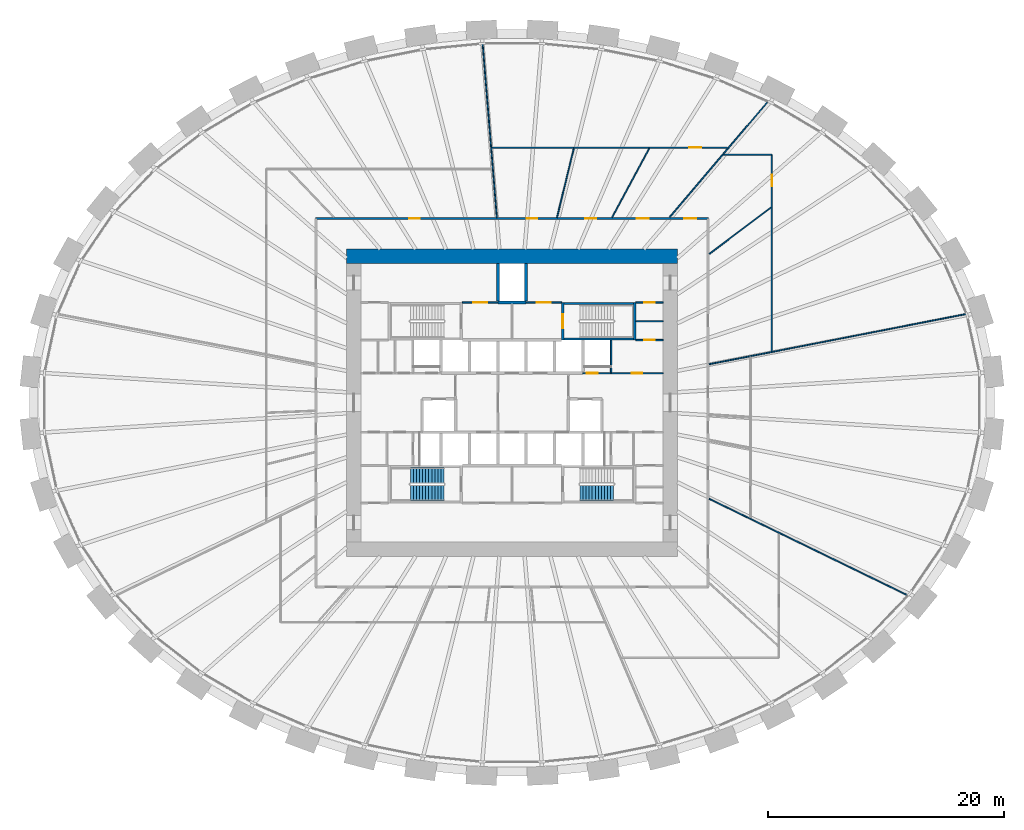
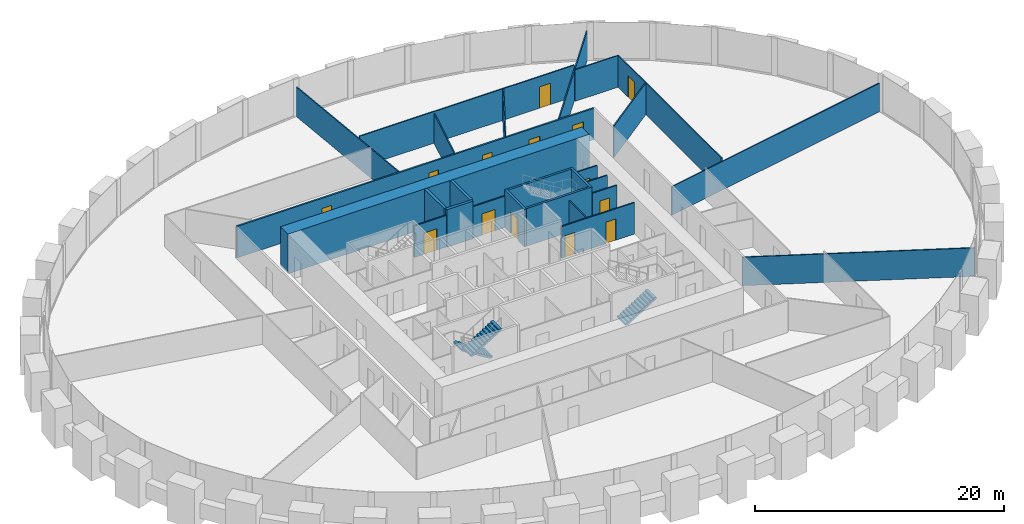
# One storey, part 9 of 11: 26 walls, 14 doors, 3 stair flights, 14 openings, 2 elements without a shape of their own.
"""IFC4 building model written with IfcOpenShell, lengths in metres."""

from ifc_helpers import new_model, si_unit, direction, frame, frame_2d, origin, place, context, subcontext, project, spatial, polyline, rectangle, outline, extrude, source, transform, mapped, material, layer, layer_set, type_object, element, fill, aggregate, save


model = new_model("IFC4")

# Units and contexts
model_context = context("Model", 3, precision=1e-05, world=origin(), true_north=direction((0.0, 1.0)))
body_context = subcontext(model_context, "Body", "Model", "MODEL_VIEW")
ifc_project = project(units=[si_unit("LENGTHUNIT", "METRE"), si_unit("AREAUNIT", "SQUARE_METRE"), si_unit("VOLUMEUNIT", "CUBIC_METRE"), si_unit("PLANEANGLEUNIT", "RADIAN"), si_unit("MASSUNIT", "GRAM", prefix="KILO")], contexts=[model_context])

# Site, building, storey
site_placement = place(None, origin())
site = spatial("IfcSite", under=ifc_project, at=site_placement, CompositionType="ELEMENT")
building_placement = place(site_placement, origin())
building = spatial("IfcBuilding", under=site, at=building_placement, Name="Embergate Tower", CompositionType="ELEMENT")
storey_placement = place(building_placement, frame((0.0, 0.0, 77.60009765625)))
storey = spatial("IfcBuildingStorey", under=building, at=storey_placement, Name="L15", CompositionType="ELEMENT", Elevation=77.60009765625)

# Walls
ifc_material_1 = material(Name="Concrete C80", Category="concrete")
ifc_layer_1 = layer(ifc_material_1, 1.199951171875)
ifc_layer_set_1 = layer_set([ifc_layer_1], Name="Concrete C80")
wall_type_1 = type_object("IfcWallType", Name="Core outer wall C80 1200", PredefinedType="SHEAR", material=ifc_layer_set_1)
shared_shape_1 = source(origin(), body_context, "Body", "SweptSolid", [
    extrude(rectangle(XDim=28.0, YDim=1.199951171875, at=frame_2d((14.0, 0.0))), origin(), (0.0, 0.0, 1.0), 3.900146484375),
])
wall_1_placement = place(storey_placement, frame((-14.0, 12.39990234375, -0.2001953125), z_axis=(0.0, 0.0, 1.0), x_axis=(1.0, 0.0, 0.0)))
element("IfcWall", 1, at=wall_1_placement, inside=storey, type_object=wall_type_1, Name="CW-L15-N", PredefinedType="SHEAR", context=body_context, shape_type="MappedRepresentation", body=[
    mapped(shared_shape_1, transform((0.0, 0.0, 0.0))),
])
ifc_material_2 = material(Name="Concrete C50", Category="concrete")
ifc_layer_2 = layer(ifc_material_2, 0.199951171875)
ifc_layer_set_2 = layer_set([ifc_layer_2], Name="Concrete C50")
wall_type_2 = type_object("IfcWallType", Name="Stair enclosure wall reinforced concrete 250", PredefinedType="SHEAR", material=ifc_layer_set_2)
shared_shape_2 = source(origin(), body_context, "Body", "SweptSolid", [
    extrude(rectangle(XDim=6.300048828125, YDim=0.199951171875, at=frame_2d((3.14990234375, 0.0))), origin(), (0.0, 0.0, 1.0), 3.699951171875),
])
for number, where, z_axis, x_axis, name in (
    (2, (10.5, 5.39990234375, 0.0), (0.0, 0.0, 1.0), (-1.0, 0.0, 0.0), "SE-1 wall"),
    (3, (10.5, 8.39990234375, 0.0), (0.0, 0.0, 1.0), (-1.0, 0.0, 0.0), "SE-1 wall"),
):
    element("IfcWall", number, at=place(storey_placement, frame(where, z_axis=z_axis, x_axis=x_axis)), inside=storey, type_object=wall_type_2, Name=name, PredefinedType="SHEAR", context=body_context, shape_type="MappedRepresentation", body=[
        mapped(shared_shape_2, transform((0.0, 0.0, 0.0))),
    ])

# Wall, opening, door
shared_shape_3 = source(origin(), body_context, "Body", "SweptSolid", [
    extrude(rectangle(XDim=3.199951171875, YDim=0.199951171875, at=frame_2d((1.60009765625, 0.0))), origin(), (0.0, 0.0, 1.0), 3.699951171875),
])
wall_2_placement = place(storey_placement, frame((4.300048828125, 8.5, 0.0), z_axis=(0.0, 0.0, 1.0), x_axis=(0.0, -1.0, 0.0)))
wall_2 = element("IfcWall", 4, at=wall_2_placement, inside=storey, type_object=wall_type_2, Name="SE-1 wall", PredefinedType="SHEAR", context=body_context, shape_type="MappedRepresentation", body=[
    mapped(shared_shape_3, transform((0.0, 0.0, 0.0))),
])
shared_shape_4 = source(origin(), body_context, "Body", "SweptSolid", [
    extrude(rectangle(XDim=1.199951171875, YDim=2.10009765625, at=frame_2d((0.60009765625, 1.050048828125))), frame((0.0, 0.10986328125, 0.0), z_axis=(0.0, -1.0, 0.0), x_axis=(1.0, 0.0, 0.0)), (0.0, 0.0, 1.0), 0.219970703125),
])
opening_1_placement = place(wall_2_placement, frame((1.0, 0.0, 0.0)))
opening_1 = element("IfcOpeningElement", 5, at=opening_1_placement, cuts=wall_2, Name="Opening IF-2", PredefinedType="OPENING", context=body_context, shape_type="MappedRepresentation", body=[
    mapped(shared_shape_4, transform((0.0, 0.0, 0.0))),
])
ifc_material_3 = material(Name="Stair enclosure door 1200")
door_type_1 = type_object("IfcDoorType", Name="Stair enclosure door 1200", OperationType="SINGLE_SWING_LEFT", PredefinedType="DOOR", material=ifc_material_3)
shared_shape_5 = source(origin(), body_context, "Body", "SweptSolid", [
    extrude(rectangle(XDim=1.199951171875, YDim=2.10009765625, at=frame_2d((0.60009765625, 1.050048828125))), frame((0.0, 0.02490234375, 0.0), z_axis=(0.0, -1.0, 0.0), x_axis=(1.0, 0.0, 0.0)), (0.0, 0.0, 1.0), 0.050048828125),
])
door_1_placement = place(opening_1_placement, origin())
door_1 = element("IfcDoor", 6, at=door_1_placement, inside=storey, type_object=door_type_1, Name="IF-2 door", OperationType="SINGLE_SWING_LEFT", OverallHeight=2.10009765625, OverallWidth=1.199951171875, PredefinedType="DOOR", context=body_context, shape_type="MappedRepresentation", body=[
    mapped(shared_shape_5, transform((0.0, 0.0, 0.0))),
])
fill(opening_1, door_1)

# Walls
wall_3_placement = place(storey_placement, frame((10.39990234375, 5.300048828125, 0.0), z_axis=(0.0, 0.0, 1.0), x_axis=(0.0, 1.0, 0.0)))
element("IfcWall", 7, at=wall_3_placement, inside=storey, type_object=wall_type_2, Name="SE-1 wall", PredefinedType="SHEAR", context=body_context, shape_type="MappedRepresentation", body=[
    mapped(shared_shape_3, transform((0.0, 0.0, 0.0))),
])
ifc_layer_3 = layer(ifc_material_2, 0.25)
ifc_layer_set_3 = layer_set([ifc_layer_3], Name="Concrete C50")
wall_type_3 = type_object("IfcWallType", Name="Hoistway wall reinforced concrete 250", PredefinedType="SHEAR", material=ifc_layer_set_3)
shared_shape_6 = source(origin(), body_context, "Body", "SweptSolid", [
    extrude(rectangle(XDim=2.39990234375, YDim=0.25, at=frame_2d((1.199951171875, 0.0))), origin(), (0.0, 0.0, 1.0), 3.699951171875),
])
wall_4_placement = place(storey_placement, frame((1.199951171875, 8.5, 0.0), z_axis=(0.0, 0.0, 1.0), x_axis=(-1.0, 0.0, 0.0)))
element("IfcWall", 8, at=wall_4_placement, inside=storey, type_object=wall_type_3, Name="HW-1 wall", PredefinedType="SHEAR", context=body_context, shape_type="MappedRepresentation", body=[
    mapped(shared_shape_6, transform((0.0, 0.0, 0.0))),
])
shared_shape_7 = source(origin(), body_context, "Body", "SweptSolid", [
    extrude(rectangle(XDim=3.175048828125, YDim=0.25, at=frame_2d((1.58740234375, 0.0))), origin(), (0.0, 0.0, 1.0), 3.699951171875),
])
for number, where, z_axis, x_axis, name in (
    (9, (-1.199951171875, 8.625, 0.0), (0.0, 0.0, 1.0), (0.0, 1.0, 0.0), "HW-1 wall"),
    (10, (1.199951171875, 11.800048828125, 0.0), (0.0, 0.0, 1.0), (0.0, -1.0, 0.0), "HW-1 wall"),
):
    element("IfcWall", number, at=place(storey_placement, frame(where, z_axis=z_axis, x_axis=x_axis)), inside=storey, type_object=wall_type_3, Name=name, PredefinedType="SHEAR", context=body_context, shape_type="MappedRepresentation", body=[
        mapped(shared_shape_7, transform((0.0, 0.0, 0.0))),
    ])

# Wall, openings, doors
ifc_material_4 = material(Name="Core partition blockwork 120")
ifc_layer_4 = layer(ifc_material_4, 0.1201171875)
ifc_layer_set_4 = layer_set([ifc_layer_4], Name="Core partition blockwork 120")
wall_type_4 = type_object("IfcWallType", Name="Core partition blockwork 120", PredefinedType="PARTITIONING", material=ifc_layer_set_4)
shared_shape_8 = source(origin(), body_context, "Body", "SweptSolid", [
    extrude(rectangle(XDim=6.800048828125, YDim=0.1201171875, at=frame_2d((3.39990234375, 0.0))), origin(), (0.0, 0.0, 1.0), 3.099853515625),
])
wall_5_placement = place(storey_placement, frame((6.0, 2.5, 0.0), z_axis=(0.0, 0.0, 1.0), x_axis=(1.0, 0.0, 0.0)))
wall_5 = element("IfcWall", 11, at=wall_5_placement, inside=storey, type_object=wall_type_4, Name="IP-3 wall", PredefinedType="PARTITIONING", context=body_context, shape_type="MappedRepresentation", body=[
    mapped(shared_shape_8, transform((0.0, 0.0, 0.0))),
])
shared_shape_9 = source(origin(), body_context, "Body", "SweptSolid", [
    extrude(rectangle(XDim=0.89990234375, YDim=2.10009765625, at=frame_2d((0.449951171875, 1.050048828125))), frame((0.0, 0.070068359375, 0.0), z_axis=(0.0, -1.0, 0.0), x_axis=(1.0, 0.0, 0.0)), (0.0, 0.0, 1.0), 0.14013671875),
])
opening_2_placement = place(wall_5_placement, frame((0.35009765625, 0.0, 0.0)))
opening_2 = element("IfcOpeningElement", 12, at=opening_2_placement, cuts=wall_5, Name="Opening ID-1", PredefinedType="OPENING", context=body_context, shape_type="MappedRepresentation", body=[
    mapped(shared_shape_9, transform((0.0, 0.0, 0.0))),
])
opening_3_placement = place(wall_5_placement, frame((4.14990234375, 0.0, 0.0)))
opening_3 = element("IfcOpeningElement", 13, at=opening_3_placement, cuts=wall_5, Name="Opening ID-1", PredefinedType="OPENING", context=body_context, shape_type="MappedRepresentation", body=[
    mapped(shared_shape_9, transform((0.0, 0.0, 0.0))),
])
ifc_material_5 = material(Name="Interior door 900")
door_type_2 = type_object("IfcDoorType", Name="Interior door 900", OperationType="SINGLE_SWING_LEFT", PredefinedType="DOOR", material=ifc_material_5)
shared_shape_10 = source(origin(), body_context, "Body", "SweptSolid", [
    extrude(rectangle(XDim=0.89990234375, YDim=2.10009765625, at=frame_2d((0.449951171875, 1.050048828125))), frame((0.0, 0.02490234375, 0.0), z_axis=(0.0, -1.0, 0.0), x_axis=(1.0, 0.0, 0.0)), (0.0, 0.0, 1.0), 0.050048828125),
])
door_2_placement = place(opening_2_placement, origin())
door_2 = element("IfcDoor", 14, at=door_2_placement, inside=storey, type_object=door_type_2, Name="ID-1 door", OperationType="SINGLE_SWING_RIGHT", OverallHeight=2.10009765625, OverallWidth=0.89990234375, PredefinedType="DOOR", context=body_context, shape_type="MappedRepresentation", body=[
    mapped(shared_shape_10, transform((0.0, 0.0, 0.0))),
])
fill(opening_2, door_2)
door_3_placement = place(opening_3_placement, origin())
door_3 = element("IfcDoor", 15, at=door_3_placement, inside=storey, type_object=door_type_2, Name="ID-1 door", OperationType="SINGLE_SWING_LEFT", OverallHeight=2.10009765625, OverallWidth=0.89990234375, PredefinedType="DOOR", context=body_context, shape_type="MappedRepresentation", body=[
    mapped(shared_shape_10, transform((0.0, 0.0, 0.0))),
])
fill(opening_3, door_3)

# Wall
shared_shape_11 = source(origin(), body_context, "Body", "SweptSolid", [
    extrude(rectangle(XDim=2.739990234375, YDim=0.1201171875, at=frame_2d((1.3701171875, 0.0))), origin(), (0.0, 0.0, 1.0), 3.099853515625),
])
wall_6_placement = place(storey_placement, frame((8.39990234375, 2.56005859375, 0.0), z_axis=(0.0, 0.0, 1.0), x_axis=(0.0, 1.0, 0.0)))
element("IfcWall", 16, at=wall_6_placement, inside=storey, type_object=wall_type_4, Name="IP-3 wall", PredefinedType="PARTITIONING", context=body_context, shape_type="MappedRepresentation", body=[
    mapped(shared_shape_11, transform((0.0, 0.0, 0.0))),
])

# Wall, opening, door
shared_shape_12 = source(origin(), body_context, "Body", "SweptSolid", [
    extrude(rectangle(XDim=3.0, YDim=0.1201171875, at=frame_2d((1.5, 0.0))), origin(), (0.0, 0.0, 1.0), 3.099853515625),
])
wall_7_placement = place(storey_placement, frame((-1.199951171875, 8.5, 0.0), z_axis=(0.0, 0.0, 1.0), x_axis=(-1.0, 0.0, 0.0)))
wall_7 = element("IfcWall", 17, at=wall_7_placement, inside=storey, type_object=wall_type_4, Name="IP-3 wall", PredefinedType="PARTITIONING", context=body_context, shape_type="MappedRepresentation", body=[
    mapped(shared_shape_12, transform((0.0, 0.0, 0.0))),
])
shared_shape_13 = source(origin(), body_context, "Body", "SweptSolid", [
    extrude(rectangle(XDim=1.199951171875, YDim=2.10009765625, at=frame_2d((0.60009765625, 1.050048828125))), frame((0.0, 0.070068359375, 0.0), z_axis=(0.0, -1.0, 0.0), x_axis=(1.0, 0.0, 0.0)), (0.0, 0.0, 1.0), 0.14013671875),
])
opening_4_placement = place(wall_7_placement, frame((0.89990234375, 0.0, 0.0)))
opening_4 = element("IfcOpeningElement", 18, at=opening_4_placement, cuts=wall_7, Name="Opening IF-3f", PredefinedType="OPENING", context=body_context, shape_type="MappedRepresentation", body=[
    mapped(shared_shape_13, transform((0.0, 0.0, 0.0))),
])
ifc_material_6 = material(Name="Lobby fire door pair 1200")
door_type_3 = type_object("IfcDoorType", Name="Lobby fire door pair 1200", OperationType="DOUBLE_DOOR_SINGLE_SWING", PredefinedType="DOOR", material=ifc_material_6)
door_4_placement = place(opening_4_placement, origin())
door_4 = element("IfcDoor", 19, at=door_4_placement, inside=storey, type_object=door_type_3, Name="IF-3 door", OperationType="DOUBLE_DOOR_SINGLE_SWING", OverallHeight=2.10009765625, OverallWidth=1.199951171875, PredefinedType="DOOR", context=body_context, shape_type="MappedRepresentation", body=[
    mapped(shared_shape_5, transform((0.0, 0.0, 0.0))),
])
fill(opening_4, door_4)

wall_8_placement = place(storey_placement, frame((4.199951171875, 8.5, 0.0), z_axis=(0.0, 0.0, 1.0), x_axis=(-1.0, 0.0, 0.0)))
wall_8 = element("IfcWall", 20, at=wall_8_placement, inside=storey, type_object=wall_type_4, Name="IP-3 wall", PredefinedType="PARTITIONING", context=body_context, shape_type="MappedRepresentation", body=[
    mapped(shared_shape_12, transform((0.0, 0.0, 0.0))),
])
opening_5_placement = place(wall_8_placement, frame((0.89990234375, 0.0, 0.0)))
opening_5 = element("IfcOpeningElement", 21, at=opening_5_placement, cuts=wall_8, Name="Opening IF-3f", PredefinedType="OPENING", context=body_context, shape_type="MappedRepresentation", body=[
    mapped(shared_shape_13, transform((0.0, 0.0, 0.0))),
])
door_5_placement = place(opening_5_placement, origin())
door_5 = element("IfcDoor", 22, at=door_5_placement, inside=storey, type_object=door_type_3, Name="IF-3 door", OperationType="DOUBLE_DOOR_SINGLE_SWING", OverallHeight=2.10009765625, OverallWidth=1.199951171875, PredefinedType="DOOR", context=body_context, shape_type="MappedRepresentation", body=[
    mapped(shared_shape_5, transform((0.0, 0.0, 0.0))),
])
fill(opening_5, door_5)

shared_shape_14 = source(origin(), body_context, "Body", "SweptSolid", [
    extrude(rectangle(XDim=2.300048828125, YDim=0.1201171875, at=frame_2d((1.14990234375, 0.0))), origin(), (0.0, 0.0, 1.0), 3.099853515625),
])
wall_9_placement = place(storey_placement, frame((10.5, 8.5, 0.0), z_axis=(0.0, 0.0, 1.0), x_axis=(1.0, 0.0, 0.0)))
wall_9 = element("IfcWall", 23, at=wall_9_placement, inside=storey, type_object=wall_type_4, Name="IP-3 wall", PredefinedType="PARTITIONING", context=body_context, shape_type="MappedRepresentation", body=[
    mapped(shared_shape_14, transform((0.0, 0.0, 0.0))),
])
opening_6_placement = place(wall_9_placement, frame((0.699951171875, 0.0, 0.0)))
opening_6 = element("IfcOpeningElement", 24, at=opening_6_placement, cuts=wall_9, Name="Opening ID-1", PredefinedType="OPENING", context=body_context, shape_type="MappedRepresentation", body=[
    mapped(shared_shape_9, transform((0.0, 0.0, 0.0))),
])
door_6_placement = place(opening_6_placement, origin())
door_6 = element("IfcDoor", 25, at=door_6_placement, inside=storey, type_object=door_type_2, Name="ID-1 door", OperationType="SINGLE_SWING_LEFT", OverallHeight=2.10009765625, OverallWidth=0.89990234375, PredefinedType="DOOR", context=body_context, shape_type="MappedRepresentation", body=[
    mapped(shared_shape_10, transform((0.0, 0.0, 0.0))),
])
fill(opening_6, door_6)

wall_10_placement = place(storey_placement, frame((12.800048828125, 5.300048828125, 0.0), z_axis=(0.0, 0.0, 1.0), x_axis=(-1.0, 0.0, 0.0)))
wall_10 = element("IfcWall", 26, at=wall_10_placement, inside=storey, type_object=wall_type_4, Name="IP-3 wall", PredefinedType="PARTITIONING", context=body_context, shape_type="MappedRepresentation", body=[
    mapped(shared_shape_14, transform((0.0, 0.0, 0.0))),
])
opening_7_placement = place(wall_10_placement, frame((0.699951171875, 0.0, 0.0)))
opening_7 = element("IfcOpeningElement", 27, at=opening_7_placement, cuts=wall_10, Name="Opening ID-1", PredefinedType="OPENING", context=body_context, shape_type="MappedRepresentation", body=[
    mapped(shared_shape_9, transform((0.0, 0.0, 0.0))),
])
door_7_placement = place(opening_7_placement, origin())
door_7 = element("IfcDoor", 28, at=door_7_placement, inside=storey, type_object=door_type_2, Name="ID-1 door", OperationType="SINGLE_SWING_LEFT", OverallHeight=2.10009765625, OverallWidth=0.89990234375, PredefinedType="DOOR", context=body_context, shape_type="MappedRepresentation", body=[
    mapped(shared_shape_10, transform((0.0, 0.0, 0.0))),
])
fill(opening_7, door_7)

# Wall
wall_11_placement = place(storey_placement, frame((12.800048828125, 6.89990234375, 0.0), z_axis=(0.0, 0.0, 1.0), x_axis=(-1.0, 0.0, 0.0)))
element("IfcWall", 29, at=wall_11_placement, inside=storey, type_object=wall_type_4, Name="IP-3 wall", PredefinedType="PARTITIONING", context=body_context, shape_type="MappedRepresentation", body=[
    mapped(shared_shape_14, transform((0.0, 0.0, 0.0))),
])

# Wall, openings, doors
ifc_material_7 = material(Name="Corridor wall dry-lined 150")
ifc_layer_5 = layer(ifc_material_7, 0.14990234375)
ifc_layer_set_5 = layer_set([ifc_layer_5], Name="Corridor wall dry-lined 150")
wall_type_5 = type_object("IfcWallType", Name="Corridor wall dry-lined 150", PredefinedType="PARTITIONING", material=ifc_layer_set_5)
shared_shape_15 = source(origin(), body_context, "Body", "SweptSolid", [
    extrude(rectangle(XDim=33.2001953125, YDim=0.14990234375, at=frame_2d((16.60009765625, 0.0))), origin(), (0.0, 0.0, 1.0), 3.099853515625),
])
wall_12_placement = place(storey_placement, frame((-16.60009765625, 15.60009765625, 0.0), z_axis=(0.0, 0.0, 1.0), x_axis=(1.0, 0.0, 0.0)))
wall_12 = element("IfcWall", 30, at=wall_12_placement, inside=storey, type_object=wall_type_5, Name="IP-2 wall", PredefinedType="PARTITIONING", context=body_context, shape_type="MappedRepresentation", body=[
    mapped(shared_shape_15, transform((0.0, 0.0, 0.0))),
])
shared_shape_16 = source(origin(), body_context, "Body", "SweptSolid", [
    extrude(rectangle(XDim=1.0, YDim=2.10009765625, at=frame_2d((0.5, 1.050048828125))), frame((0.0, 0.0849609375, 0.0), z_axis=(0.0, -1.0, 0.0), x_axis=(1.0, 0.0, 0.0)), (0.0, 0.0, 1.0), 0.169921875),
])
opening_8_placement = place(wall_12_placement, frame((31.200927734375, 0.0, 0.0)))
opening_8 = element("IfcOpeningElement", 31, at=opening_8_placement, cuts=wall_12, Name="Opening ID-2", PredefinedType="OPENING", context=body_context, shape_type="MappedRepresentation", body=[
    mapped(shared_shape_16, transform((0.0, 0.0, 0.0))),
])
opening_9_placement = place(wall_12_placement, frame((27.162109375, 0.0, 0.0)))
opening_9 = element("IfcOpeningElement", 32, at=opening_9_placement, cuts=wall_12, Name="Opening ID-2", PredefinedType="OPENING", context=body_context, shape_type="MappedRepresentation", body=[
    mapped(shared_shape_16, transform((0.0, 0.0, 0.0))),
])
shared_shape_17 = source(origin(), body_context, "Body", "SweptSolid", [
    extrude(rectangle(XDim=0.89990234375, YDim=2.10009765625, at=frame_2d((0.449951171875, 1.050048828125))), frame((0.0, 0.0849609375, 0.0), z_axis=(0.0, -1.0, 0.0), x_axis=(1.0, 0.0, 0.0)), (0.0, 0.0, 1.0), 0.169921875),
])
opening_10_placement = place(wall_12_placement, frame((22.818115234375, 0.0, 0.0)))
opening_10 = element("IfcOpeningElement", 33, at=opening_10_placement, cuts=wall_12, Name="Opening IF-1c", PredefinedType="OPENING", context=body_context, shape_type="MappedRepresentation", body=[
    mapped(shared_shape_17, transform((0.0, 0.0, 0.0))),
])
opening_11_placement = place(wall_12_placement, frame((17.8359375, 0.0, 0.0)))
opening_11 = element("IfcOpeningElement", 34, at=opening_11_placement, cuts=wall_12, Name="Opening IF-1c", PredefinedType="OPENING", context=body_context, shape_type="MappedRepresentation", body=[
    mapped(shared_shape_17, transform((0.0, 0.0, 0.0))),
])
opening_12_placement = place(wall_12_placement, frame((7.90087890625, 0.0, 0.0)))
opening_12 = element("IfcOpeningElement", 35, at=opening_12_placement, cuts=wall_12, Name="Opening IF-1c", PredefinedType="OPENING", context=body_context, shape_type="MappedRepresentation", body=[
    mapped(shared_shape_17, transform((0.0, 0.0, 0.0))),
])
ifc_material_8 = material(Name="Escape fire door 900")
door_type_4 = type_object("IfcDoorType", Name="Escape fire door 900", OperationType="SINGLE_SWING_LEFT", PredefinedType="DOOR", material=ifc_material_8)
door_8_placement = place(opening_10_placement, origin())
door_8 = element("IfcDoor", 36, at=door_8_placement, inside=storey, type_object=door_type_4, Name="IF-1 door", OperationType="SINGLE_SWING_LEFT", OverallHeight=2.10009765625, OverallWidth=0.89990234375, PredefinedType="DOOR", context=body_context, shape_type="MappedRepresentation", body=[
    mapped(shared_shape_10, transform((0.0, 0.0, 0.0))),
])
fill(opening_10, door_8)
door_9_placement = place(opening_11_placement, origin())
door_9 = element("IfcDoor", 37, at=door_9_placement, inside=storey, type_object=door_type_4, Name="IF-1 door", OperationType="SINGLE_SWING_RIGHT", OverallHeight=2.10009765625, OverallWidth=0.89990234375, PredefinedType="DOOR", context=body_context, shape_type="MappedRepresentation", body=[
    mapped(shared_shape_10, transform((0.0, 0.0, 0.0))),
])
fill(opening_11, door_9)
door_10_placement = place(opening_12_placement, origin())
door_10 = element("IfcDoor", 38, at=door_10_placement, inside=storey, type_object=door_type_4, Name="IF-1 door", OperationType="SINGLE_SWING_RIGHT", OverallHeight=2.10009765625, OverallWidth=0.89990234375, PredefinedType="DOOR", context=body_context, shape_type="MappedRepresentation", body=[
    mapped(shared_shape_10, transform((0.0, 0.0, 0.0))),
])
fill(opening_12, door_10)
ifc_material_9 = material(Name="Interior door 1000")
door_type_5 = type_object("IfcDoorType", Name="Interior door 1000", OperationType="SINGLE_SWING_LEFT", PredefinedType="DOOR", material=ifc_material_9)
shared_shape_18 = source(origin(), body_context, "Body", "SweptSolid", [
    extrude(rectangle(XDim=1.0, YDim=2.10009765625, at=frame_2d((0.5, 1.050048828125))), frame((0.0, 0.02490234375, 0.0), z_axis=(0.0, -1.0, 0.0), x_axis=(1.0, 0.0, 0.0)), (0.0, 0.0, 1.0), 0.050048828125),
])
door_11_placement = place(opening_8_placement, origin())
door_11 = element("IfcDoor", 39, at=door_11_placement, inside=storey, type_object=door_type_5, Name="ID-2 door", OperationType="SINGLE_SWING_RIGHT", OverallHeight=2.10009765625, OverallWidth=1.0, PredefinedType="DOOR", context=body_context, shape_type="MappedRepresentation", body=[
    mapped(shared_shape_18, transform((0.0, 0.0, 0.0))),
])
fill(opening_8, door_11)
door_12_placement = place(opening_9_placement, origin())
door_12 = element("IfcDoor", 40, at=door_12_placement, inside=storey, type_object=door_type_5, Name="ID-2 door", OperationType="SINGLE_SWING_LEFT", OverallHeight=2.10009765625, OverallWidth=1.0, PredefinedType="DOOR", context=body_context, shape_type="MappedRepresentation", body=[
    mapped(shared_shape_18, transform((0.0, 0.0, 0.0))),
])
fill(opening_9, door_12)

# Wall
ifc_material_10 = material(Name="Partition dry-lined 100")
ifc_layer_6 = layer(ifc_material_10, 0.10009765625)
ifc_layer_set_6 = layer_set([ifc_layer_6], Name="Partition dry-lined 100")
wall_type_6 = type_object("IfcWallType", Name="Partition dry-lined 100", PredefinedType="PARTITIONING", material=ifc_layer_set_6)
shared_shape_19 = source(origin(), body_context, "Body", "SweptSolid", [
    extrude(rectangle(XDim=6.53173828125, YDim=0.10009765625, at=frame_2d((3.265869140625, 0.0))), origin(), (0.0, 0.0, 1.0), 3.099853515625),
])
wall_13_placement = place(storey_placement, frame((16.705078125, 12.597900390625, 0.0), z_axis=(0.0, 0.0, 1.0), x_axis=(0.798382397051, 0.602150768562, 0.0)))
element("IfcWall", 41, at=wall_13_placement, inside=storey, type_object=wall_type_6, Name="IP-1 wall", PredefinedType="PARTITIONING", context=body_context, shape_type="MappedRepresentation", body=[
    mapped(shared_shape_19, transform((0.0, 0.0, 0.0))),
])

# Wall, opening, door
shared_shape_20 = source(origin(), body_context, "Body", "SweptSolid", [
    extrude(rectangle(XDim=16.64111328125, YDim=0.10009765625, at=frame_2d((8.320556640625, 0.0))), origin(), (0.0, 0.0, 1.0), 3.099853515625),
])
wall_14_placement = place(storey_placement, frame((22.0, 21.0, 0.0), z_axis=(0.0, 0.0, 1.0), x_axis=(0.0, -1.0, 0.0)))
wall_14 = element("IfcWall", 42, at=wall_14_placement, inside=storey, type_object=wall_type_6, Name="IP-1 wall", PredefinedType="PARTITIONING", context=body_context, shape_type="MappedRepresentation", body=[
    mapped(shared_shape_20, transform((0.0, 0.0, 0.0))),
])
shared_shape_21 = source(origin(), body_context, "Body", "SweptSolid", [
    extrude(rectangle(XDim=1.0, YDim=2.10009765625, at=frame_2d((0.5, 1.050048828125))), frame((0.0, 0.06005859375, 0.0), z_axis=(0.0, -1.0, 0.0), x_axis=(1.0, 0.0, 0.0)), (0.0, 0.0, 1.0), 0.1201171875),
])
opening_13_placement = place(wall_14_placement, frame((1.676025390625, 0.0, 0.0)))
opening_13 = element("IfcOpeningElement", 43, at=opening_13_placement, cuts=wall_14, Name="Opening ID-2", PredefinedType="OPENING", context=body_context, shape_type="MappedRepresentation", body=[
    mapped(shared_shape_21, transform((0.0, 0.0, 0.0))),
])
door_13_placement = place(opening_13_placement, origin())
door_13 = element("IfcDoor", 44, at=door_13_placement, inside=storey, type_object=door_type_5, Name="ID-2 door", OperationType="SINGLE_SWING_RIGHT", OverallHeight=2.10009765625, OverallWidth=1.0, PredefinedType="DOOR", context=body_context, shape_type="MappedRepresentation", body=[
    mapped(shared_shape_18, transform((0.0, 0.0, 0.0))),
])
fill(opening_13, door_13)

# Walls
shared_shape_22 = source(origin(), body_context, "Body", "SweptSolid", [
    extrude(rectangle(XDim=12.870849609375, YDim=0.10009765625, at=frame_2d((6.435546875, 0.0))), origin(), (0.0, 0.0, 1.0), 2.89990234375),
])
wall_15_placement = place(storey_placement, frame((13.344970703125, 15.70703125, 0.0), z_axis=(0.0, 0.0, 1.0), x_axis=(0.647435858612, 0.762119943962, 0.0)))
element("IfcWall", 45, at=wall_15_placement, inside=storey, type_object=wall_type_6, Name="IP-1 wall", PredefinedType="PARTITIONING", context=body_context, shape_type="MappedRepresentation", body=[
    mapped(shared_shape_22, transform((0.0, 0.0, 0.0))),
])
shared_shape_23 = source(origin(), body_context, "Body", "SweptSolid", [
    extrude(rectangle(XDim=4.050048828125, YDim=0.10009765625, at=frame_2d((2.02490234375, 0.0))), origin(), (0.0, 0.0, 1.0), 3.099853515625),
])
wall_16_placement = place(storey_placement, frame((17.949951171875, 21.0, 0.0), z_axis=(0.0, 0.0, 1.0), x_axis=(1.0, 0.0, 0.0)))
element("IfcWall", 46, at=wall_16_placement, inside=storey, type_object=wall_type_6, Name="IP-1 wall", PredefinedType="PARTITIONING", context=body_context, shape_type="MappedRepresentation", body=[
    mapped(shared_shape_23, transform((0.0, 0.0, 0.0))),
])
shared_shape_24 = source(origin(), body_context, "Body", "SweptSolid", [
    extrude(rectangle(XDim=6.62109375, YDim=0.10009765625, at=frame_2d((3.310546875, 0.0))), origin(), (0.0, 0.0, 1.0), 3.099853515625),
])
wall_17_placement = place(storey_placement, frame((8.471923828125, 15.698974609375, 0.0), z_axis=(0.0, 0.0, 1.0), x_axis=(0.474858262245, 0.88006228801, 0.0)))
element("IfcWall", 47, at=wall_17_placement, inside=storey, type_object=wall_type_6, Name="IP-1 wall", PredefinedType="PARTITIONING", context=body_context, shape_type="MappedRepresentation", body=[
    mapped(shared_shape_24, transform((0.0, 0.0, 0.0))),
])

# Wall, opening, door
shared_shape_25 = source(origin(), body_context, "Body", "SweptSolid", [
    extrude(rectangle(XDim=19.958984375, YDim=0.10009765625, at=frame_2d((9.9794921875, 0.0))), origin(), (0.0, 0.0, 1.0), 3.099853515625),
])
wall_18_placement = place(storey_placement, frame((-1.716064453125, 21.60009765625, 0.0), z_axis=(0.0, 0.0, 1.0), x_axis=(1.0, 0.0, 0.0)))
wall_18 = element("IfcWall", 48, at=wall_18_placement, inside=storey, type_object=wall_type_6, Name="IP-1 wall", PredefinedType="PARTITIONING", context=body_context, shape_type="MappedRepresentation", body=[
    mapped(shared_shape_25, transform((0.0, 0.0, 0.0))),
])
opening_14_placement = place(wall_18_placement, frame((16.7294921875, 0.0, 0.0)))
opening_14 = element("IfcOpeningElement", 49, at=opening_14_placement, cuts=wall_18, Name="Opening ID-2", PredefinedType="OPENING", context=body_context, shape_type="MappedRepresentation", body=[
    mapped(shared_shape_21, transform((0.0, 0.0, 0.0))),
])
door_14_placement = place(opening_14_placement, origin())
door_14 = element("IfcDoor", 50, at=door_14_placement, inside=storey, type_object=door_type_5, Name="ID-2 door", OperationType="SINGLE_SWING_RIGHT", OverallHeight=2.10009765625, OverallWidth=1.0, PredefinedType="DOOR", context=body_context, shape_type="MappedRepresentation", body=[
    mapped(shared_shape_18, transform((0.0, 0.0, 0.0))),
])
fill(opening_14, door_14)

# Walls
shared_shape_26 = source(origin(), body_context, "Body", "SweptSolid", [
    extrude(rectangle(XDim=6.021240234375, YDim=0.10009765625, at=frame_2d((3.0107421875, 0.0))), origin(), (0.0, 0.0, 1.0), 2.89990234375),
])
wall_19_placement = place(storey_placement, frame((3.81201171875, 15.68701171875, 0.0), z_axis=(0.0, 0.0, 1.0), x_axis=(0.236138442635, 0.971719422421, 0.0)))
element("IfcWall", 51, at=wall_19_placement, inside=storey, type_object=wall_type_6, Name="IP-1 wall", PredefinedType="PARTITIONING", context=body_context, shape_type="MappedRepresentation", body=[
    mapped(shared_shape_26, transform((0.0, 0.0, 0.0))),
])
shared_shape_27 = source(origin(), body_context, "Body", "SweptSolid", [
    extrude(rectangle(XDim=14.77392578125, YDim=0.10009765625, at=frame_2d((7.386962890625, 0.0))), origin(), (0.0, 0.0, 1.0), 2.89990234375),
])
wall_20_placement = place(storey_placement, frame((-1.281982421875, 15.675048828125, 0.0), z_axis=(0.0, 0.0, 1.0), x_axis=(-0.081501373949, 0.996673229321, 0.0)))
element("IfcWall", 52, at=wall_20_placement, inside=storey, type_object=wall_type_6, Name="IP-1 wall", PredefinedType="PARTITIONING", context=body_context, shape_type="MappedRepresentation", body=[
    mapped(shared_shape_27, transform((0.0, 0.0, 0.0))),
])
shared_shape_28 = source(origin(), body_context, "Body", "SweptSolid", [
    extrude(rectangle(XDim=18.715087890625, YDim=0.10009765625, at=frame_2d((9.357421875, 0.0))), origin(), (0.0, 0.0, 1.0), 2.7998046875),
])
wall_21_placement = place(storey_placement, frame((33.52392578125, -16.321044921875, 0.0), z_axis=(0.0, 0.0, 1.0), x_axis=(-0.899107311698, 0.437728274219, 0.0)))
element("IfcWall", 53, at=wall_21_placement, inside=storey, type_object=wall_type_6, Name="IP-1 wall", PredefinedType="PARTITIONING", context=body_context, shape_type="MappedRepresentation", body=[
    mapped(shared_shape_28, transform((0.0, 0.0, 0.0))),
])
shared_shape_29 = source(origin(), body_context, "Body", "SweptSolid", [
    extrude(rectangle(XDim=22.212158203125, YDim=0.10009765625, at=frame_2d((11.10595703125, 0.0))), origin(), (0.0, 0.0, 1.0), 2.7998046875),
])
wall_22_placement = place(storey_placement, frame((38.485107421875, 7.51904296875, 0.0), z_axis=(0.0, 0.0, 1.0), x_axis=(-0.981445163178, -0.191743035531, 0.0)))
element("IfcWall", 54, at=wall_22_placement, inside=storey, type_object=wall_type_6, Name="IP-1 wall", PredefinedType="PARTITIONING", context=body_context, shape_type="MappedRepresentation", body=[
    mapped(shared_shape_29, transform((0.0, 0.0, 0.0))),
])

# Stair, stair flights
ifc_material_11 = material(Name="Exit stair")
stair_type = type_object("IfcStairType", Name="Exit stair", PredefinedType="HALF_TURN_STAIR", material=ifc_material_11)
stair_1_placement = place(storey_placement, origin())
stair_1 = element("IfcStair", 55, at=stair_1_placement, inside=storey, type_object=stair_type, Name="L15 Exit stair 3", PredefinedType="HALF_TURN_STAIR")
ifc_material_12 = material(Name="Concrete C40", Category="concrete")
stair_flight_type = type_object("IfcStairFlightType", Name="Stair flight reinforced concrete", PredefinedType="STRAIGHT", material=ifc_material_12)
shared_shape_30 = source(origin(), body_context, "Body", "SweptSolid", [
    extrude(outline(polyline([(0.0, 0.0), (0.0, 0.16259765625), (0.260009765625, 0.16259765625), (0.260009765625, 0.324951171875), (0.52001953125, 0.324951171875), (0.52001953125, 0.487548828125), (0.780029296875, 0.487548828125), (0.780029296875, 0.64990234375), (1.0400390625, 0.64990234375), (1.0400390625, 0.8125), (1.300048828125, 0.8125), (1.300048828125, 0.97509765625), (1.56005859375, 0.97509765625), (1.56005859375, 1.137451171875), (1.820068359375, 1.137451171875), (1.820068359375, 1.300048828125), (2.080078125, 1.300048828125), (2.080078125, 1.46240234375), (2.340087890625, 1.46240234375), (2.340087890625, 1.625), (2.60009765625, 1.625), (2.60009765625, 1.78759765625), (2.860107421875, 1.78759765625), (2.860107421875, 1.949951171875), (2.860107421875, 1.61083984375), (0.28271484375, 0.0), (0.0, 0.0)])), frame((0.0, 0.675048828125, 0.0), z_axis=(0.0, -1.0, 0.0), x_axis=(1.0, 0.0, 0.0)), (0.0, 0.0, 1.0), 1.35009765625),
])
stair_flight_1_placement = place(storey_placement, frame((-5.75, -6.175048828125, 0.0), z_axis=(0.0, 0.0, 1.0), x_axis=(-1.0, 0.0, 0.0)))
stair_flight_1 = element("IfcStairFlight", 56, at=stair_flight_1_placement, type_object=stair_flight_type, Name="ST3 flight 1", NumberOfRisers=12, NumberOfTreads=11, PredefinedType="STRAIGHT", RiserHeight=0.1625, TreadLength=0.26, context=body_context, shape_type="MappedRepresentation", body=[
    mapped(shared_shape_30, transform((0.0, 0.0, 0.0))),
])
stair_flight_2_placement = place(storey_placement, frame((-8.610107421875, -7.625, 1.949951171875), z_axis=(0.0, 0.0, 1.0), x_axis=(1.0, 0.0, 0.0)))
stair_flight_2 = element("IfcStairFlight", 57, at=stair_flight_2_placement, type_object=stair_flight_type, Name="ST3 flight 2", NumberOfRisers=12, NumberOfTreads=11, PredefinedType="STRAIGHT", RiserHeight=0.1625, TreadLength=0.26, context=body_context, shape_type="MappedRepresentation", body=[
    mapped(shared_shape_30, transform((0.0, 0.0, 0.0))),
])
aggregate(stair_1, [stair_flight_1, stair_flight_2])

# Stair, stair flight
stair_2_placement = place(storey_placement, origin())
stair_2 = element("IfcStair", 58, at=stair_2_placement, inside=storey, type_object=stair_type, Name="L15 Exit stair 4", PredefinedType="HALF_TURN_STAIR")
stair_flight_3_placement = place(storey_placement, frame((5.75, -7.625, 0.0), z_axis=(0.0, 0.0, 1.0), x_axis=(1.0, 0.0, 0.0)))
stair_flight_3 = element("IfcStairFlight", 59, at=stair_flight_3_placement, type_object=stair_flight_type, Name="ST4 flight 1", NumberOfRisers=12, NumberOfTreads=11, PredefinedType="STRAIGHT", RiserHeight=0.1625, TreadLength=0.26, context=body_context, shape_type="MappedRepresentation", body=[
    mapped(shared_shape_30, transform((0.0, 0.0, 0.0))),
])
aggregate(stair_2, [stair_flight_3])

save(model, "model.ifc")
